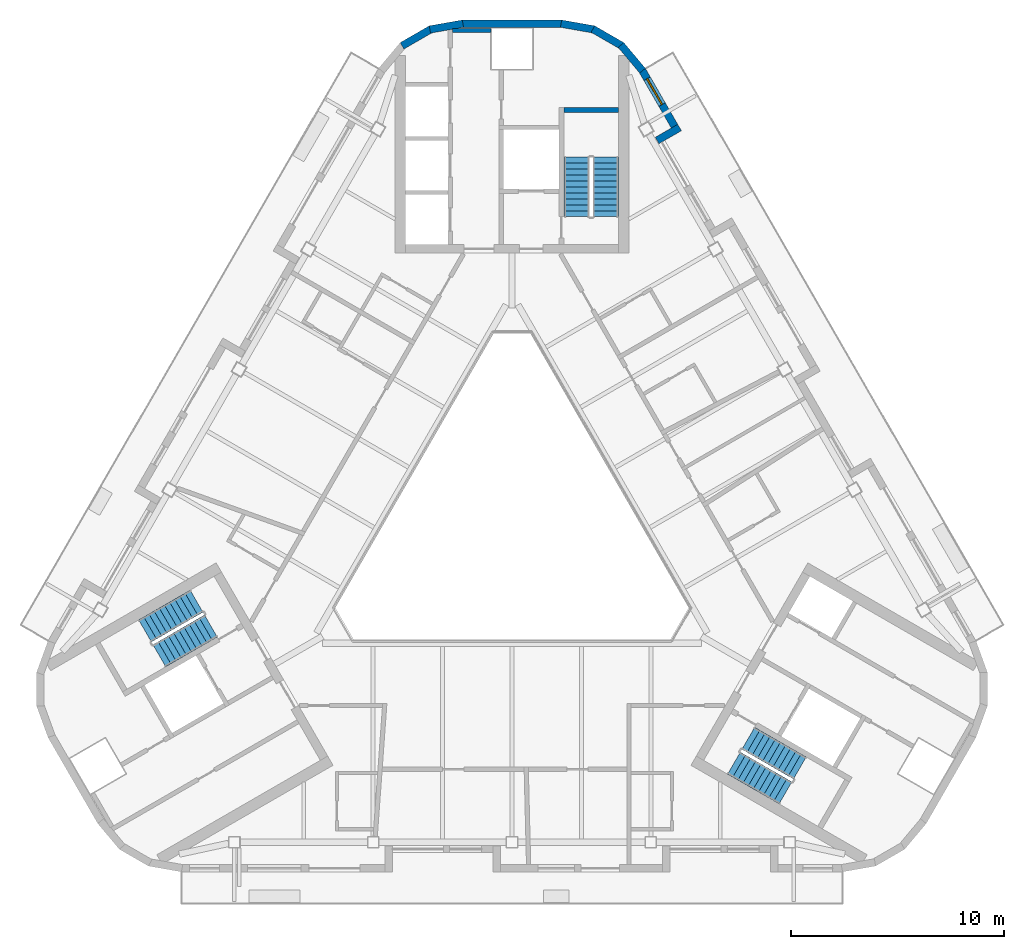
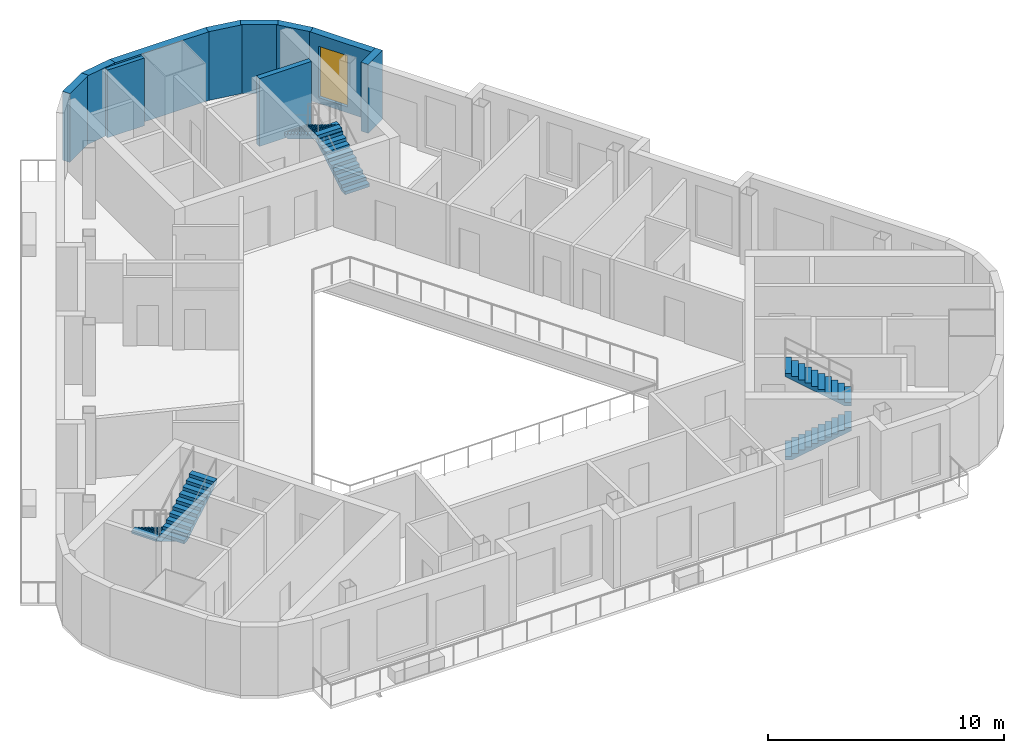
# One storey, part 7 of 11: 10 walls, 6 stair flights, 1 window, 1 opening, 3 elements without a shape of their own.
"""IFC4 building model written with IfcOpenShell, lengths in metres."""

import ifcopenshell
import ifcopenshell.guid

model = None  # the IFC model being written
_history = None  # IfcOwnerHistory: only IFC2X3 demands one
_inside = {}  # id of a spatial element -> (the spatial element, [elements in it])
_under = {}  # id of a project, library or spatial element -> (it, [spatial elements below it])
_declared = {}  # id of a project -> (the project, [libraries it declares])
_typed = {}  # id of a type object -> (the type object, [elements of that type])
_made_of = {}  # id of a material, layer set ... -> (it, [elements and type objects made of it])


def new_model(schema):
    """Start an empty IFC model of exactly this schema.

    Asked for "IFC4X3", IfcOpenShell would pick the latest addendum, in which some entities
    have other attributes; the version numbers below select the first issue.
    IFC2X3 requires an IfcOwnerHistory on every rooted entity: one is made here for all.
    """
    global model, _history
    if schema == "IFC4X3":
        model = ifcopenshell.file(schema_version=(4, 3, 0, 0))
    else:
        model = ifcopenshell.file(schema=schema)
    _inside.clear()
    _under.clear()
    _declared.clear()
    _typed.clear()
    _made_of.clear()
    _history = None
    if model.schema == "IFC2X3":
        org = make("IfcOrganization", Name="unknown")
        user = make(
            "IfcPersonAndOrganization",
            ThePerson=make("IfcPerson", FamilyName="unknown"),
            TheOrganization=org,
        )
        app = make(
            "IfcApplication",
            ApplicationDeveloper=org,
            Version="unknown",
            ApplicationFullName="unknown",
            ApplicationIdentifier="unknown",
        )
        _history = make(
            "IfcOwnerHistory",
            OwningUser=user,
            OwningApplication=app,
            ChangeAction="ADDED",
            CreationDate=0,
        )
    return model


def make(cls, **values):
    """One entity of the class cls with the attributes given. An attribute that is None is left unset."""
    return model.create_entity(
        cls, **{name: value for name, value in values.items() if value is not None}
    )


def rooted(cls, **values):
    """An entity with a GlobalId (a new one), such as an element, a storey or a relation."""
    return make(cls, GlobalId=ifcopenshell.guid.new(), OwnerHistory=_history, **values)


def si_unit(unit_type, name, prefix=None):
    """IfcSIUnit, for example si_unit("LENGTHUNIT", "METRE", prefix="MILLI")."""
    return make("IfcSIUnit", UnitType=unit_type, Prefix=prefix, Name=name)


def assignment(units):
    """IfcUnitAssignment: the units of a project."""
    return None if units is None else make("IfcUnitAssignment", Units=units)


def point(xyz):
    """IfcCartesianPoint."""
    return None if xyz is None else make("IfcCartesianPoint", Coordinates=xyz)


def direction(xyz):
    """IfcDirection."""
    return None if xyz is None else make("IfcDirection", DirectionRatios=xyz)


def frame(location, z_axis=None, x_axis=None):
    """IfcAxis2Placement3D, a coordinate frame: its origin and axes. An axis left out is left unset."""
    return make(
        "IfcAxis2Placement3D",
        Location=point(location),
        Axis=direction(z_axis),
        RefDirection=direction(x_axis),
    )


def frame_2d(location, x_axis=None):
    """IfcAxis2Placement2D, a coordinate frame in the plane: its origin and x axis."""
    return make(
        "IfcAxis2Placement2D", Location=point(location), RefDirection=direction(x_axis)
    )


def origin():
    """The frame at (0, 0, 0) with its axes left unset."""
    return frame((0.0, 0.0, 0.0))


def place(relative_to, where):
    """IfcLocalPlacement: puts the frame where relative to a parent placement (None: the world)."""
    return make(
        "IfcLocalPlacement", PlacementRelTo=relative_to, RelativePlacement=where
    )


def context(
    kind, dimensions, precision=None, world=None, true_north=None, identifier=None
):
    """IfcGeometricRepresentationContext, for example the 3D "Model" context."""
    return make(
        "IfcGeometricRepresentationContext",
        ContextIdentifier=identifier,
        ContextType=kind,
        CoordinateSpaceDimension=dimensions,
        Precision=precision,
        WorldCoordinateSystem=world,
        TrueNorth=true_north,
    )


def subcontext(parent, identifier, kind, view, scale=None):
    """IfcGeometricRepresentationSubContext, for example "Body" below "Model"."""
    return make(
        "IfcGeometricRepresentationSubContext",
        ContextIdentifier=identifier,
        ContextType=kind,
        ParentContext=parent,
        TargetScale=scale,
        TargetView=view,
    )


def project(units=None, contexts=None):
    """IfcProject with its units and contexts."""
    return rooted(
        "IfcProject",
        Name="project",
        RepresentationContexts=contexts,
        UnitsInContext=assignment(units),
    )


def spatial(cls, under=None, at=None, **own):
    """A site, building, storey or space (cls), placed at a placement, below another one or the project."""
    s = rooted(cls, ObjectPlacement=at, **own)
    if under is not None:
        _under.setdefault(under.id(), (under, []))[1].append(s)
    return s


def polyline(points):
    """IfcPolyline through the points."""
    return make("IfcPolyline", Points=[point(p) for p in points])


def profile(cls, at=None, kind="AREA", **sizes):
    """A parametric profile (cls). Its sizes go by their IFC names, for example OverallWidth=200.0."""
    return make(cls, ProfileType=kind, Position=at, **sizes)


def rectangle(**sizes):
    """IfcRectangleProfileDef."""
    return profile("IfcRectangleProfileDef", **sizes)


def outline(outer, holes=None, kind="AREA"):
    """IfcArbitraryClosedProfileDef: a profile drawn as a closed curve; with holes, ...WithVoids."""
    if holes is None:
        return make("IfcArbitraryClosedProfileDef", ProfileType=kind, OuterCurve=outer)
    return make(
        "IfcArbitraryProfileDefWithVoids",
        ProfileType=kind,
        OuterCurve=outer,
        InnerCurves=holes,
    )


def extrude(swept, where, along, depth):
    """IfcExtrudedAreaSolid: the profile swept, set in the frame where, extruded along a direction by depth."""
    return make(
        "IfcExtrudedAreaSolid",
        SweptArea=swept,
        Position=where,
        ExtrudedDirection=direction(along),
        Depth=depth,
    )


def shape(context_of_items, identifier, shape_type, items):
    """IfcShapeRepresentation: the items that make up one representation, for example the "Body"."""
    return make(
        "IfcShapeRepresentation",
        ContextOfItems=context_of_items,
        RepresentationIdentifier=identifier,
        RepresentationType=shape_type,
        Items=items,
    )


def material(Name=None, Category=None):
    """IfcMaterial."""
    return make("IfcMaterial", Name=Name, Category=Category)


def layer(
    of_material, thickness, ventilated=None, Name=None, Category=None, Priority=None
):
    """IfcMaterialLayer: one layer of a wall or slab, of a material (None: an air gap)."""
    return make(
        "IfcMaterialLayer",
        Material=of_material,
        LayerThickness=thickness,
        IsVentilated=ventilated,
        Name=Name,
        Category=Category,
        Priority=Priority,
    )


def layer_set(layers, Name=None):
    """IfcMaterialLayerSet."""
    return make("IfcMaterialLayerSet", MaterialLayers=layers, LayerSetName=Name)


def made_of(thing, what):
    """Note that an element or type object is made of a material, layer set ...; save() writes the relation."""
    if what is not None:
        _made_of.setdefault(what.id(), (what, []))[1].append(thing)
    return thing


def type_object(cls, material=None, **own):
    """A type object (cls), such as IfcWallType, which elements share."""
    return made_of(rooted(cls, **own), material)


def element(
    cls,
    number,
    at=None,
    inside=None,
    cuts=None,
    type_object=None,
    material=None,
    context=None,
    identifier="Body",
    shape_type=None,
    held_by="IfcProductDefinitionShape",
    body=None,
    shapes=None,
    **own,
):
    """One element of the class cls, such as IfcWall. Its Tag is "e" and its number.

    at: its placement. inside: the storey or other place that contains it. cuts: it is an
    opening in that element (IfcRelVoidsElement). A single representation is given by context,
    identifier, shape_type and body (its items); several are given by shapes. held_by: the class
    of the entity that holds the representations. save() writes the other relations.
    """
    e = rooted(cls, Tag="e%d" % number, ObjectPlacement=at, **own)
    if body is not None:
        shapes = [shape(context, identifier, shape_type, body)]
    if shapes is not None:
        e.Representation = make(held_by, Representations=shapes)
    if inside is not None:
        _inside.setdefault(inside.id(), (inside, []))[1].append(e)
    if cuts is not None:
        rooted(
            "IfcRelVoidsElement", RelatingBuildingElement=cuts, RelatedOpeningElement=e
        )
    if type_object is not None:
        _typed.setdefault(type_object.id(), (type_object, []))[1].append(e)
    return made_of(e, material)


def fill(opening, filler):
    """IfcRelFillsElement: the door or window that sits in an opening."""
    return rooted(
        "IfcRelFillsElement",
        RelatingOpeningElement=opening,
        RelatedBuildingElement=filler,
    )


def aggregate(whole, parts):
    """IfcRelAggregates: a whole, such as a stair, and the parts it consists of."""
    return rooted("IfcRelAggregates", RelatingObject=whole, RelatedObjects=parts)


def save(model, path):
    """Write the relations noted so far, then the file.

    IfcRelAggregates (storeys below a building ...), IfcRelContainedInSpatialStructure (elements
    in a storey), IfcRelDefinesByType, IfcRelAssociatesMaterial and IfcRelDeclares: one each for
    every whole, place, type object, material and project.
    """
    for whole, parts in _under.values():
        aggregate(whole, parts)
    for where, things in _inside.values():
        rooted(
            "IfcRelContainedInSpatialStructure",
            RelatedElements=things,
            RelatingStructure=where,
        )
    for kind, things in _typed.values():
        rooted("IfcRelDefinesByType", RelatedObjects=things, RelatingType=kind)
    for what, things in _made_of.values():
        rooted("IfcRelAssociatesMaterial", RelatedObjects=things, RelatingMaterial=what)
    for by, libraries in _declared.values():
        rooted("IfcRelDeclares", RelatingContext=by, RelatedDefinitions=libraries)
    model.write(path)


model = new_model("IFC4")

# Units and contexts
model_context = context("Model", 3, precision=1e-05, world=origin(), true_north=direction((0.0, 1.0)))
body_context = subcontext(model_context, "Body", "Model", "MODEL_VIEW")
ifc_project = project(units=[si_unit("LENGTHUNIT", "METRE"), si_unit("AREAUNIT", "SQUARE_METRE"), si_unit("VOLUMEUNIT", "CUBIC_METRE"), si_unit("PLANEANGLEUNIT", "RADIAN"), si_unit("MASSUNIT", "GRAM", prefix="KILO")], contexts=[model_context])

# Site, building, storey
site_placement = place(None, origin())
site = spatial("IfcSite", under=ifc_project, at=site_placement, CompositionType="ELEMENT")
building_placement = place(site_placement, origin())
building = spatial("IfcBuilding", under=site, at=building_placement, Name="Apuvela Tower Hotel", CompositionType="ELEMENT")
storey_placement = place(building_placement, frame((0.0, 0.0, 317.0)))
storey = spatial("IfcBuildingStorey", under=building, at=storey_placement, Name="L79", CompositionType="ELEMENT", Elevation=317.0)

# Walls
ifc_material_1 = material(Name="Concrete C50/60", Category="concrete")
ifc_layer_1 = layer(ifc_material_1, 0.199951171875)
ifc_layer_set_1 = layer_set([ifc_layer_1], Name="COR-WALL-SHAFT-200")
wall_type_1 = type_object("IfcWallType", Name="COR-WALL-SHAFT-200", PredefinedType="SHEAR", material=ifc_layer_set_1)
wall_1_placement = place(storey_placement, frame((-1.0, 23.360107421875, 0.0), z_axis=(0.0, 0.0, 1.0), x_axis=(-1.0, 0.0, 0.0)))
element("IfcWall", 1, at=wall_1_placement, inside=storey, type_object=wall_type_1, Name="Shaft wall N", PredefinedType="SHEAR", context=body_context, shape_type="SweptSolid", body=[
    extrude(rectangle(XDim=1.800048828125, YDim=0.199951171875, at=frame_2d((0.89990234375, 0.0))), origin(), (0.0, 0.0, 1.0), 3.5),
])
ifc_layer_2 = layer(ifc_material_1, 0.25)
ifc_layer_set_2 = layer_set([ifc_layer_2], Name="COR-WALL-STAIR-250")
wall_type_2 = type_object("IfcWallType", Name="COR-WALL-STAIR-250", PredefinedType="SHEAR", material=ifc_layer_set_2)
wall_2_placement = place(storey_placement, frame((5.0, 19.625, 0.0), z_axis=(0.0, 0.0, 1.0), x_axis=(-1.0, 0.0, 0.0)))
element("IfcWall", 2, at=wall_2_placement, inside=storey, type_object=wall_type_2, Name="Stair wall N", PredefinedType="SHEAR", context=body_context, shape_type="SweptSolid", body=[
    extrude(rectangle(XDim=2.550048828125, YDim=0.25, at=frame_2d((1.27490234375, 0.0))), origin(), (0.0, 0.0, 1.0), 3.5),
])
ifc_material_2 = material(Name="Concrete C40/50, dark pigmented precast panel", Category="concrete")
ifc_layer_3 = layer(ifc_material_2, 0.35009765625)
ifc_layer_set_3 = layer_set([ifc_layer_3], Name="ENV-WALL-350")
wall_type_3 = type_object("IfcWallType", Name="ENV-WALL-350", PredefinedType="SOLIDWALL", material=ifc_layer_set_3)
wall_3_placement = place(storey_placement, frame((6.82861328125, 18.1875, 0.0), z_axis=(0.0, 0.0, 1.0), x_axis=(0.866042269935, 0.499970785833, 0.0)))
element("IfcWall", 3, at=wall_3_placement, inside=storey, type_object=wall_type_3, Name="External wall L79-40", PredefinedType="SOLIDWALL", context=body_context, shape_type="SweptSolid", body=[
    extrude(rectangle(XDim=1.2197265625, YDim=0.35009765625, at=frame_2d((0.60986328125, 0.0))), origin(), (0.0, 0.0, 1.0), 3.550048828125),
])

# Wall, opening, window
wall_4_placement = place(storey_placement, frame((7.821044921875, 18.558349609375, 0.0), z_axis=(0.0, 0.0, 1.0), x_axis=(-0.500000656212, 0.86602502492, 0.0)))
wall_4 = element("IfcWall", 4, at=wall_4_placement, inside=storey, type_object=wall_type_3, Name="External wall L79-41", PredefinedType="SOLIDWALL", context=body_context, shape_type="SweptSolid", body=[
    extrude(rectangle(XDim=3.39306640625, YDim=0.35009765625, at=frame_2d((1.696533203125, 0.0))), origin(), (0.0, 0.0, 1.0), 3.550048828125),
])
opening_placement = place(wall_4_placement, frame((1.524658203125, 0.0, 0.300048828125)))
opening = element("IfcOpeningElement", 5, at=opening_placement, cuts=wall_4, Name="Opening WN14", PredefinedType="OPENING", context=body_context, shape_type="SweptSolid", body=[
    extrude(rectangle(XDim=1.39990234375, YDim=2.64990234375, at=frame_2d((0.699951171875, 1.324951171875))), frame((0.0, 0.18505859375, 0.0), z_axis=(0.0, -1.0, 0.0), x_axis=(1.0, 0.0, 0.0)), (0.0, 0.0, 1.0), 0.3701171875),
])
ifc_material_3 = material(Name="Glass, dark tinted laminated insulated glazing unit", Category="glass")
window_type = type_object("IfcWindowType", Name="ENV-WIN-1400x2650", PartitioningType="SINGLE_PANEL", PredefinedType="WINDOW", material=ifc_material_3)
window_placement = place(opening_placement, origin())
window = element("IfcWindow", 6, at=window_placement, inside=storey, type_object=window_type, Name="Window WN14", OverallHeight=2.64990234375, OverallWidth=1.39990234375, PartitioningType="SINGLE_PANEL", PredefinedType="WINDOW", context=body_context, shape_type="SweptSolid", body=[
    extrude(rectangle(XDim=1.39990234375, YDim=2.64990234375, at=frame_2d((0.699951171875, 1.324951171875))), frame((0.0, 0.030029296875, 0.0), z_axis=(0.0, -1.0, 0.0), x_axis=(1.0, 0.0, 0.0)), (0.0, 0.0, 1.0), 0.06005859375),
])
fill(opening, window)

# Walls
for number, where, z_axis, x_axis, name in (
    (7, (6.14208984375, 21.4716796875, 0.0), (0.0, 0.0, 1.0), (-0.642720587594, 0.766100676336, 0.0), "External wall L79-42"),
    (8, (5.173583984375, 22.642333984375, 0.0), (0.0, 0.0, 1.0), (-0.866007919525, 0.500030282404, 0.0), "External wall L79-43"),
):
    element("IfcWall", number, at=place(storey_placement, frame(where, z_axis=z_axis, x_axis=x_axis)), inside=storey, type_object=wall_type_3, Name=name, PredefinedType="SOLIDWALL", context=body_context, shape_type="SweptSolid", body=[
        extrude(rectangle(XDim=1.5791015625, YDim=0.35009765625, at=frame_2d((0.78955078125, 0.0))), origin(), (0.0, 0.0, 1.0), 3.550048828125),
    ])
wall_5_placement = place(storey_placement, frame((3.86328125, 23.410888671875, 0.0), z_axis=(0.0, 0.0, 1.0), x_axis=(-0.98478200219, 0.173794154571, 0.0)))
element("IfcWall", 9, at=wall_5_placement, inside=storey, type_object=wall_type_3, Name="External wall L79-44", PredefinedType="SOLIDWALL", context=body_context, shape_type="SweptSolid", body=[
    extrude(rectangle(XDim=1.578857421875, YDim=0.35009765625, at=frame_2d((0.78955078125, 0.0))), origin(), (0.0, 0.0, 1.0), 3.550048828125),
])
wall_6_placement = place(storey_placement, frame((2.338623046875, 23.6826171875, 0.0), z_axis=(0.0, 0.0, 1.0), x_axis=(-1.0, 0.0, 0.0)))
element("IfcWall", 10, at=wall_6_placement, inside=storey, type_object=wall_type_3, Name="External wall L79-45", PredefinedType="SOLIDWALL", context=body_context, shape_type="SweptSolid", body=[
    extrude(rectangle(XDim=4.67724609375, YDim=0.35009765625, at=frame_2d((2.338623046875, 0.0))), origin(), (0.0, 0.0, 1.0), 3.550048828125),
])
wall_7_placement = place(storey_placement, frame((-2.308349609375, 23.685302734375, 0.0), z_axis=(0.0, 0.0, 1.0), x_axis=(-0.98478200219, -0.173794154571, 0.0)))
element("IfcWall", 11, at=wall_7_placement, inside=storey, type_object=wall_type_3, Name="External wall L79-46", PredefinedType="SOLIDWALL", context=body_context, shape_type="SweptSolid", body=[
    extrude(rectangle(XDim=1.578857421875, YDim=0.35009765625, at=frame_2d((0.78955078125, 0.0))), origin(), (0.0, 0.0, 1.0), 3.550048828125),
])
wall_8_placement = place(storey_placement, frame((-3.80615234375, 23.431884765625, 0.0), z_axis=(0.0, 0.0, 1.0), x_axis=(-0.866007919525, -0.500030282404, 0.0)))
element("IfcWall", 12, at=wall_8_placement, inside=storey, type_object=wall_type_3, Name="External wall L79-47", PredefinedType="SOLIDWALL", context=body_context, shape_type="SweptSolid", body=[
    extrude(rectangle(XDim=1.5791015625, YDim=0.35009765625, at=frame_2d((0.78955078125, 0.0))), origin(), (0.0, 0.0, 1.0), 3.550048828125),
])

# Stair, stair flights
stair_type = type_object("IfcStairType", Name="COR-STAIR-22R", PredefinedType="HALF_TURN_STAIR", material=ifc_material_1)
stair_1_placement = place(storey_placement, origin())
stair_1 = element("IfcStair", 13, at=stair_1_placement, inside=storey, type_object=stair_type, Name="L79 Exit stair ST1", PredefinedType="HALF_TURN_STAIR")
stair_flight_type = type_object("IfcStairFlightType", Name="COR-FLIGHT-11R", PredefinedType="STRAIGHT", material=ifc_material_1)
stair_flight_1_placement = place(storey_placement, frame((4.39990234375, 14.60009765625, 0.0), z_axis=(0.0, 0.0, 1.0), x_axis=(0.0, 1.0, 0.0)))
stair_flight_1 = element("IfcStairFlight", 14, at=stair_flight_1_placement, type_object=stair_flight_type, Name="ST1 flight 1", NumberOfRisers=11, NumberOfTreads=10, PredefinedType="STRAIGHT", RiserHeight=0.168181818, TreadLength=0.28, context=body_context, shape_type="SweptSolid", body=[
    extrude(outline(polyline([(0.0, 0.0), (0.0, 0.168212890625), (0.280029296875, 0.168212890625), (0.280029296875, 0.33642578125), (0.56005859375, 0.33642578125), (0.56005859375, 0.504638671875), (0.840087890625, 0.504638671875), (0.840087890625, 0.672607421875), (1.1201171875, 0.672607421875), (1.1201171875, 0.8408203125), (1.39990234375, 0.8408203125), (1.39990234375, 1.009033203125), (1.679931640625, 1.009033203125), (1.679931640625, 1.17724609375), (1.9599609375, 1.17724609375), (1.9599609375, 1.345458984375), (2.239990234375, 1.345458984375), (2.239990234375, 1.513671875), (2.52001953125, 1.513671875), (2.52001953125, 1.681884765625), (2.800048828125, 1.681884765625), (2.800048828125, 1.85009765625), (2.800048828125, 1.5068359375), (0.291015625, 0.0), (0.0, 0.0)])), frame((0.0, 0.60009765625, 0.0), z_axis=(0.0, -1.0, 0.0), x_axis=(1.0, 0.0, 0.0)), (0.0, 0.0, 1.0), 1.199951171875),
])
stair_flight_2_placement = place(storey_placement, frame((3.050048828125, 17.39990234375, 1.85009765625), z_axis=(0.0, 0.0, 1.0), x_axis=(0.0, -1.0, 0.0)))
stair_flight_2 = element("IfcStairFlight", 15, at=stair_flight_2_placement, type_object=stair_flight_type, Name="ST1 flight 2", NumberOfRisers=11, NumberOfTreads=10, PredefinedType="STRAIGHT", RiserHeight=0.168181818, TreadLength=0.28, context=body_context, shape_type="SweptSolid", body=[
    extrude(outline(polyline([(0.0, 0.0), (0.0, 0.168212890625), (0.280029296875, 0.168212890625), (0.280029296875, 0.33642578125), (0.56005859375, 0.33642578125), (0.56005859375, 0.504638671875), (0.840087890625, 0.504638671875), (0.840087890625, 0.672607421875), (1.1201171875, 0.672607421875), (1.1201171875, 0.8408203125), (1.39990234375, 0.8408203125), (1.39990234375, 1.009033203125), (1.679931640625, 1.009033203125), (1.679931640625, 1.17724609375), (1.9599609375, 1.17724609375), (1.9599609375, 1.345458984375), (2.239990234375, 1.345458984375), (2.239990234375, 1.513671875), (2.52001953125, 1.513671875), (2.52001953125, 1.681884765625), (2.800048828125, 1.681884765625), (2.800048828125, 1.85009765625), (2.800048828125, 1.5068359375), (0.291015625, 0.0), (0.0, 0.0)])), frame((0.0, 0.60009765625, 0.0), z_axis=(0.0, -1.0, 0.0), x_axis=(1.0, 0.0, 0.0)), (0.0, 0.0, 1.0), 1.199951171875),
])
aggregate(stair_1, [stair_flight_1, stair_flight_2])

stair_2_placement = place(storey_placement, origin())
stair_2 = element("IfcStair", 16, at=stair_2_placement, inside=storey, type_object=stair_type, Name="L79 Exit stair ST2", PredefinedType="HALF_TURN_STAIR")
stair_flight_3_placement = place(storey_placement, frame((-14.843994140625, -3.489501953125, 0.0), z_axis=(0.0, 0.0, 1.0), x_axis=(-0.866025403784, -0.5, 0.0)))
stair_flight_3 = element("IfcStairFlight", 17, at=stair_flight_3_placement, type_object=stair_flight_type, Name="ST2 flight 1", NumberOfRisers=11, NumberOfTreads=10, PredefinedType="STRAIGHT", RiserHeight=0.168181818, TreadLength=0.28, context=body_context, shape_type="SweptSolid", body=[
    extrude(outline(polyline([(0.0, 0.0), (0.0, 0.168212890625), (0.280029296875, 0.168212890625), (0.280029296875, 0.33642578125), (0.56005859375, 0.33642578125), (0.56005859375, 0.504638671875), (0.840087890625, 0.504638671875), (0.840087890625, 0.672607421875), (1.1201171875, 0.672607421875), (1.1201171875, 0.8408203125), (1.39990234375, 0.8408203125), (1.39990234375, 1.009033203125), (1.679931640625, 1.009033203125), (1.679931640625, 1.17724609375), (1.9599609375, 1.17724609375), (1.9599609375, 1.345458984375), (2.239990234375, 1.345458984375), (2.239990234375, 1.513671875), (2.52001953125, 1.513671875), (2.52001953125, 1.681884765625), (2.800048828125, 1.681884765625), (2.800048828125, 1.85009765625), (2.800048828125, 1.5068359375), (0.291015625, 0.0), (0.0, 0.0)])), frame((0.0, 0.60009765625, 0.0), z_axis=(0.0, -1.0, 0.0), x_axis=(1.0, 0.0, 0.0)), (0.0, 0.0, 1.0), 1.199951171875),
])
stair_flight_4_placement = place(storey_placement, frame((-16.59375, -6.05859375, 1.85009765625), z_axis=(0.0, 0.0, 1.0), x_axis=(0.866025403784, 0.5, 0.0)))
stair_flight_4 = element("IfcStairFlight", 18, at=stair_flight_4_placement, type_object=stair_flight_type, Name="ST2 flight 2", NumberOfRisers=11, NumberOfTreads=10, PredefinedType="STRAIGHT", RiserHeight=0.168181818, TreadLength=0.28, context=body_context, shape_type="SweptSolid", body=[
    extrude(outline(polyline([(0.0, 0.0), (0.0, 0.168212890625), (0.280029296875, 0.168212890625), (0.280029296875, 0.33642578125), (0.56005859375, 0.33642578125), (0.56005859375, 0.504638671875), (0.840087890625, 0.504638671875), (0.840087890625, 0.672607421875), (1.1201171875, 0.672607421875), (1.1201171875, 0.8408203125), (1.39990234375, 0.8408203125), (1.39990234375, 1.009033203125), (1.679931640625, 1.009033203125), (1.679931640625, 1.17724609375), (1.9599609375, 1.17724609375), (1.9599609375, 1.345458984375), (2.239990234375, 1.345458984375), (2.239990234375, 1.513671875), (2.52001953125, 1.513671875), (2.52001953125, 1.681884765625), (2.800048828125, 1.681884765625), (2.800048828125, 1.85009765625), (2.800048828125, 1.5068359375), (0.291015625, 0.0), (0.0, 0.0)])), frame((0.0, 0.60009765625, 0.0), z_axis=(0.0, -1.0, 0.0), x_axis=(1.0, 0.0, 0.0)), (0.0, 0.0, 1.0), 1.199951171875),
])
aggregate(stair_2, [stair_flight_3, stair_flight_4])

stair_3_placement = place(storey_placement, origin())
stair_3 = element("IfcStair", 19, at=stair_3_placement, inside=storey, type_object=stair_type, Name="L79 Exit stair ST3", PredefinedType="HALF_TURN_STAIR")
stair_flight_5_placement = place(storey_placement, frame((10.444091796875, -11.110595703125, 0.0), z_axis=(0.0, 0.0, 1.0), x_axis=(0.866025403784, -0.5, 0.0)))
stair_flight_5 = element("IfcStairFlight", 20, at=stair_flight_5_placement, type_object=stair_flight_type, Name="ST3 flight 1", NumberOfRisers=11, NumberOfTreads=10, PredefinedType="STRAIGHT", RiserHeight=0.168181818, TreadLength=0.28, context=body_context, shape_type="SweptSolid", body=[
    extrude(outline(polyline([(0.0, 0.0), (0.0, 0.168212890625), (0.280029296875, 0.168212890625), (0.280029296875, 0.33642578125), (0.56005859375, 0.33642578125), (0.56005859375, 0.504638671875), (0.840087890625, 0.504638671875), (0.840087890625, 0.672607421875), (1.1201171875, 0.672607421875), (1.1201171875, 0.8408203125), (1.39990234375, 0.8408203125), (1.39990234375, 1.009033203125), (1.679931640625, 1.009033203125), (1.679931640625, 1.17724609375), (1.9599609375, 1.17724609375), (1.9599609375, 1.345458984375), (2.239990234375, 1.345458984375), (2.239990234375, 1.513671875), (2.52001953125, 1.513671875), (2.52001953125, 1.681884765625), (2.800048828125, 1.681884765625), (2.800048828125, 1.85009765625), (2.800048828125, 1.5068359375), (0.291015625, 0.0), (0.0, 0.0)])), frame((0.0, 0.60009765625, 0.0), z_axis=(0.0, -1.0, 0.0), x_axis=(1.0, 0.0, 0.0)), (0.0, 0.0, 1.0), 1.199951171875),
])
stair_flight_6_placement = place(storey_placement, frame((13.5439453125, -11.34130859375, 1.85009765625), z_axis=(0.0, 0.0, 1.0), x_axis=(-0.866025403784, 0.5, 0.0)))
stair_flight_6 = element("IfcStairFlight", 21, at=stair_flight_6_placement, type_object=stair_flight_type, Name="ST3 flight 2", NumberOfRisers=11, NumberOfTreads=10, PredefinedType="STRAIGHT", RiserHeight=0.168181818, TreadLength=0.28, context=body_context, shape_type="SweptSolid", body=[
    extrude(outline(polyline([(0.0, 0.0), (0.0, 0.168212890625), (0.280029296875, 0.168212890625), (0.280029296875, 0.33642578125), (0.56005859375, 0.33642578125), (0.56005859375, 0.504638671875), (0.840087890625, 0.504638671875), (0.840087890625, 0.672607421875), (1.1201171875, 0.672607421875), (1.1201171875, 0.8408203125), (1.39990234375, 0.8408203125), (1.39990234375, 1.009033203125), (1.679931640625, 1.009033203125), (1.679931640625, 1.17724609375), (1.9599609375, 1.17724609375), (1.9599609375, 1.345458984375), (2.239990234375, 1.345458984375), (2.239990234375, 1.513671875), (2.52001953125, 1.513671875), (2.52001953125, 1.681884765625), (2.800048828125, 1.681884765625), (2.800048828125, 1.85009765625), (2.800048828125, 1.5068359375), (0.291015625, 0.0), (0.0, 0.0)])), frame((0.0, 0.60009765625, 0.0), z_axis=(0.0, -1.0, 0.0), x_axis=(1.0, 0.0, 0.0)), (0.0, 0.0, 1.0), 1.199951171875),
])
aggregate(stair_3, [stair_flight_5, stair_flight_6])

save(model, "model.ifc")
